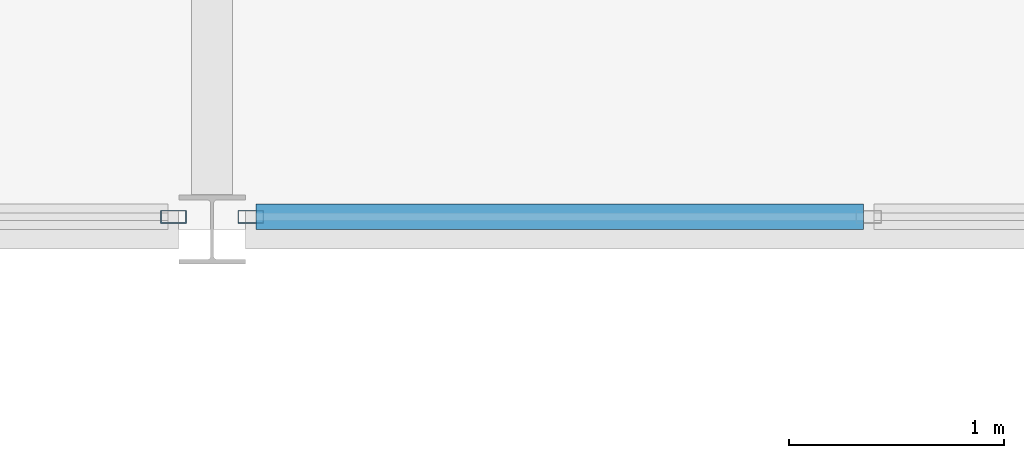
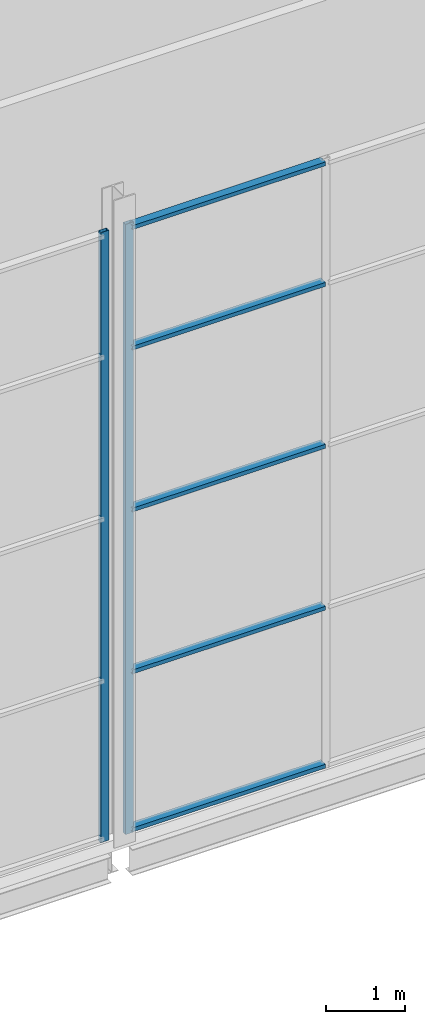
# One storey, part 42 of 111: 7 members, 2 elements without a shape of their own.
"""IFC4 building model written with IfcOpenShell, lengths in metres."""

from ifc_helpers import new_model, si_unit, direction, frame, origin, origin_2d, place, context, subcontext, project, spatial, hollow_rectangle, extrude, material, layer, layer_set, material_profile, profile_set, type_object, element, aggregate, save


model = new_model("IFC4")

# Units and contexts
model_context = context("Model", 3, precision=1e-05, world=origin(), true_north=direction((0.0, 1.0)))
body_context = subcontext(model_context, "Body", "Model", "MODEL_VIEW")
ifc_project = project(units=[si_unit("LENGTHUNIT", "METRE"), si_unit("AREAUNIT", "SQUARE_METRE"), si_unit("VOLUMEUNIT", "CUBIC_METRE"), si_unit("PLANEANGLEUNIT", "RADIAN"), si_unit("MASSUNIT", "GRAM", prefix="KILO")], contexts=[model_context])

# Site, building, storey
site_placement = place(None, origin())
site = spatial("IfcSite", under=ifc_project, at=site_placement, CompositionType="ELEMENT")
building_placement = place(site_placement, origin())
building = spatial("IfcBuilding", under=site, at=building_placement, Name="Shorebreak Coast Museum", CompositionType="ELEMENT")
storey_placement = place(building_placement, frame((0.0, 0.0, 16.0)))
storey = spatial("IfcBuildingStorey", under=building, at=storey_placement, Name="L03", CompositionType="ELEMENT", Elevation=16.0)

# Curtain wall, member
ifc_material_1 = material(Name="Aluminium", Category="aluminium")
ifc_layer = layer(ifc_material_1, 0.1201171875)
ifc_layer_set = layer_set([ifc_layer], Name="Aluminium")
curtain_wall_type = type_object("IfcCurtainWallType", Name="Atrium fire screen", PredefinedType="NOTDEFINED", material=ifc_layer_set)
curtain_wall_1_placement = place(storey_placement, origin())
curtain_wall_1 = element("IfcCurtainWall", 1, at=curtain_wall_1_placement, inside=storey, type_object=curtain_wall_type, Name="Atrium screen L03 N 39", PredefinedType="NOTDEFINED")
ifc_material_2 = material(Name="Aluminium", Category="aluminium")
ifc_material_profile_1 = material_profile(ifc_material_2, hollow_rectangle(XDim=0.06005859375, YDim=0.1201171875, WallThickness=0.00341796875, at=origin_2d()), Name="AL 120x60 RHS")
ifc_profile_set_1 = profile_set([ifc_material_profile_1], Name="Aluminium")
member_type_1 = type_object("IfcMemberType", Name="Screen mullion 50 x 120", PredefinedType="MULLION", material=ifc_profile_set_1)
member_1_placement = place(storey_placement, frame((71.820556640625, 81.06005859375, 0.0), z_axis=(0.0, 0.0, 1.0), x_axis=(0.0, 1.0, 0.0)))
member_1 = element("IfcMember", 2, at=member_1_placement, type_object=member_type_1, Name="CW4 mullion 4", PredefinedType="MULLION", context=body_context, shape_type="SweptSolid", body=[
    extrude(hollow_rectangle(XDim=0.06005859375, YDim=0.1201171875, WallThickness=0.00341796875, at=origin_2d()), origin(), (0.0, 0.0, 1.0), 9.42236328125),
])
aggregate(curtain_wall_1, [member_1])

# Curtain wall, members
curtain_wall_2_placement = place(storey_placement, origin())
curtain_wall_2 = element("IfcCurtainWall", 3, at=curtain_wall_2_placement, inside=storey, type_object=curtain_wall_type, Name="Atrium screen L03 N 40", PredefinedType="NOTDEFINED")
member_2_placement = place(storey_placement, frame((72.179443359375, 81.06005859375, 0.0), z_axis=(0.0, 0.0, 1.0), x_axis=(0.0, 1.0, 0.0)))
member_2 = element("IfcMember", 4, at=member_2_placement, type_object=member_type_1, Name="CW5 mullion 1", PredefinedType="MULLION", context=body_context, shape_type="SweptSolid", body=[
    extrude(hollow_rectangle(XDim=0.06005859375, YDim=0.1201171875, WallThickness=0.00341796875, at=origin_2d()), origin(), (0.0, 0.0, 1.0), 9.42236328125),
])
ifc_material_3 = material(Name="Aluminium", Category="aluminium")
ifc_material_profile_2 = material_profile(ifc_material_3, hollow_rectangle(XDim=0.1201171875, YDim=0.06005859375, WallThickness=0.00341796875, at=origin_2d()), Name="AL 60x120 RHS")
ifc_profile_set_2 = profile_set([ifc_material_profile_2], Name="Aluminium")
member_type_2 = type_object("IfcMemberType", Name="Screen transom 120 x 50", PredefinedType="USERDEFINED", material=ifc_profile_set_2)
member_3_placement = place(storey_placement, frame((72.20458984375, 81.06005859375, 0.06005859375), z_axis=(1.0, 0.0, 0.0), x_axis=(0.0, 1.0, 0.0)))
member_3 = element("IfcMember", 5, at=member_3_placement, type_object=member_type_2, Name="CW5 transom 1.1", ObjectType="TRANSOM", PredefinedType="USERDEFINED", context=body_context, shape_type="SweptSolid", body=[
    extrude(hollow_rectangle(XDim=0.1201171875, YDim=0.06005859375, WallThickness=0.00341796875, at=origin_2d()), origin(), (0.0, 0.0, 1.0), 2.822021484375),
])
member_4_placement = place(storey_placement, frame((72.20458984375, 81.06005859375, 2.5), z_axis=(1.0, 0.0, 0.0), x_axis=(0.0, 1.0, 0.0)))
member_4 = element("IfcMember", 6, at=member_4_placement, type_object=member_type_2, Name="CW5 transom 1.2", ObjectType="TRANSOM", PredefinedType="USERDEFINED", context=body_context, shape_type="SweptSolid", body=[
    extrude(hollow_rectangle(XDim=0.1201171875, YDim=0.06005859375, WallThickness=0.00341796875, at=origin_2d()), origin(), (0.0, 0.0, 1.0), 2.822021484375),
])
member_5_placement = place(storey_placement, frame((72.20458984375, 81.06005859375, 5.0), z_axis=(1.0, 0.0, 0.0), x_axis=(0.0, 1.0, 0.0)))
member_5 = element("IfcMember", 7, at=member_5_placement, type_object=member_type_2, Name="CW5 transom 1.3", ObjectType="TRANSOM", PredefinedType="USERDEFINED", context=body_context, shape_type="SweptSolid", body=[
    extrude(hollow_rectangle(XDim=0.1201171875, YDim=0.06005859375, WallThickness=0.00341796875, at=origin_2d()), origin(), (0.0, 0.0, 1.0), 2.822021484375),
])
member_6_placement = place(storey_placement, frame((72.20458984375, 81.06005859375, 7.5), z_axis=(1.0, 0.0, 0.0), x_axis=(0.0, 1.0, 0.0)))
member_6 = element("IfcMember", 8, at=member_6_placement, type_object=member_type_2, Name="CW5 transom 1.4", ObjectType="TRANSOM", PredefinedType="USERDEFINED", context=body_context, shape_type="SweptSolid", body=[
    extrude(hollow_rectangle(XDim=0.1201171875, YDim=0.06005859375, WallThickness=0.00341796875, at=origin_2d()), origin(), (0.0, 0.0, 1.0), 2.822021484375),
])
member_7_placement = place(storey_placement, frame((72.20458984375, 81.06005859375, 9.3623046875), z_axis=(1.0, 0.0, 0.0), x_axis=(0.0, 1.0, 0.0)))
member_7 = element("IfcMember", 9, at=member_7_placement, type_object=member_type_2, Name="CW5 transom 1.5", ObjectType="TRANSOM", PredefinedType="USERDEFINED", context=body_context, shape_type="SweptSolid", body=[
    extrude(hollow_rectangle(XDim=0.1201171875, YDim=0.06005859375, WallThickness=0.00341796875, at=origin_2d()), origin(), (0.0, 0.0, 1.0), 2.822021484375),
])
aggregate(curtain_wall_2, [member_2, member_3, member_4, member_5, member_6, member_7])

save(model, "model.ifc")
